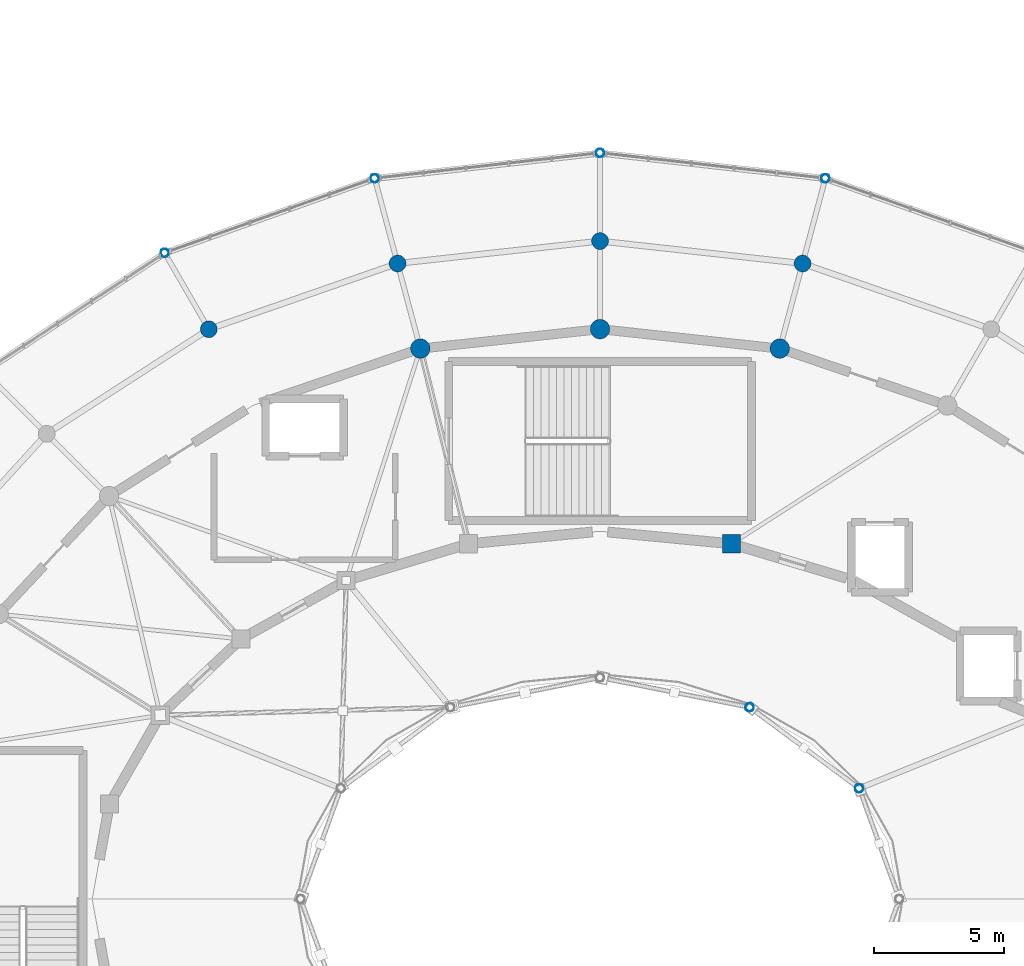
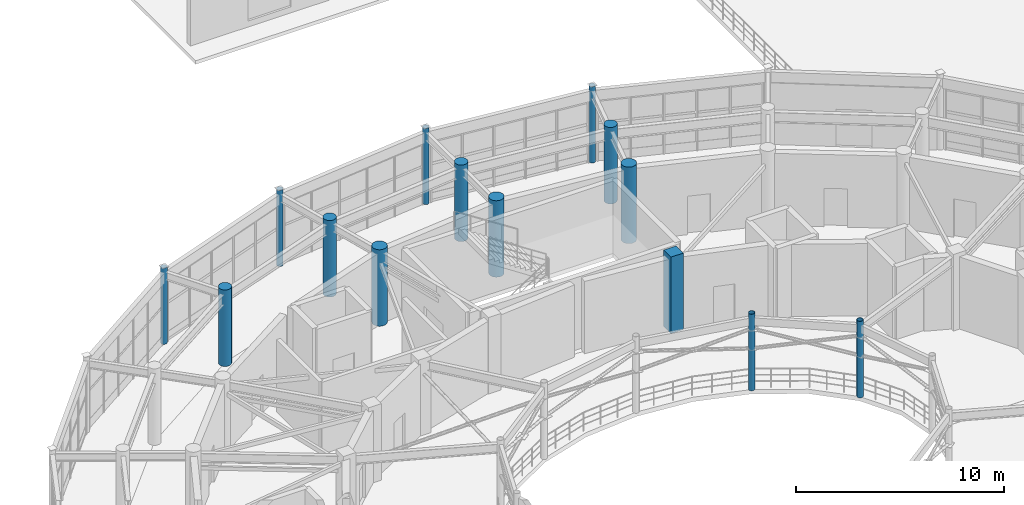
# One storey, part 7 of 60: 14 columns.
"""IFC4 building model written with IfcOpenShell, lengths in metres."""

from ifc_helpers import new_model, si_unit, direction, frame, origin, origin_2d, place, context, subcontext, project, spatial, rectangle, circle, hollow_circle, extrude, material, material_profile, profile_set, type_object, element, save


model = new_model("IFC4")

# Units and contexts
model_context = context("Model", 3, precision=1e-05, world=origin(), true_north=direction((0.0, 1.0)))
body_context = subcontext(model_context, "Body", "Model", "MODEL_VIEW")
ifc_project = project(units=[si_unit("LENGTHUNIT", "METRE"), si_unit("AREAUNIT", "SQUARE_METRE"), si_unit("VOLUMEUNIT", "CUBIC_METRE"), si_unit("PLANEANGLEUNIT", "RADIAN"), si_unit("MASSUNIT", "GRAM", prefix="KILO")], contexts=[model_context])

# Site, building, storey
site_placement = place(None, origin())
site = spatial("IfcSite", under=ifc_project, at=site_placement, CompositionType="ELEMENT")
building_placement = place(site_placement, origin())
building = spatial("IfcBuilding", under=site, at=building_placement, Name="Cinderbank Siding Concert Hall", CompositionType="ELEMENT")
storey_placement = place(building_placement, frame((0.0, 0.0, 14.699951171875)))
storey = spatial("IfcBuildingStorey", under=building, at=storey_placement, Name="L04", CompositionType="ELEMENT", Elevation=14.699951171875)

# Columns
ifc_material_1 = material(Name="Structural steel hollow section AS/NZS 1163 Grade C350L0 (350 MPa)", Category="steel")
ifc_material_profile_1 = material_profile(ifc_material_1, hollow_circle(Radius=0.161865234375, WallThickness=0.0126953125, at=origin_2d()), Name="323.9x12.7CHS", Category="LoadBearing")
ifc_profile_set_1 = profile_set([ifc_material_profile_1], Name="Structural steel hollow section AS/NZS 1163 Grade C350L0 (350 MPa)")
column_type_1 = type_object("IfcColumnType", Name="C-CHS323 323.9x12.7CHS", PredefinedType="COLUMN", material=ifc_profile_set_1)
for number, where, z_axis, x_axis, name in (
    (1, (130.696044921875, 71.819091796875, 0.0), (0.0, 0.0, 1.0), (1.0, 0.0, 0.0), "L04 Column COL-E4-06"),
    (2, (122.0, 72.800048828125, 0.0), (0.0, 0.0, 1.0), (1.0, 0.0, 0.0), "L04 Column COL-E4-07"),
    (3, (113.303955078125, 71.819091796875, 0.0), (0.0, 0.0, 1.0), (1.0, 0.0, 0.0), "L04 Column COL-E4-08"),
    (4, (105.199951171875, 68.94189453125, 0.0), (0.0, 0.0, 1.0), (1.0, 0.0, 0.0), "L04 Column COL-E4-09"),
):
    element("IfcColumn", number, at=place(storey_placement, frame(where, z_axis=z_axis, x_axis=x_axis)), inside=storey, type_object=column_type_1, Name=name, PredefinedType="COLUMN", context=body_context, shape_type="SweptSolid", body=[
        extrude(hollow_circle(Radius=0.161865234375, WallThickness=0.0126953125, at=origin_2d()), origin(), (0.0, 0.0, 1.0), 4.47998046875),
    ])
for number, where, z_axis, x_axis, name in (
    (5, (132.0029296875, 48.27490234375, 0.0), (0.0, 0.0, 1.0), (1.0, 0.0, 0.0), "L04 Column COL-E0-03"),
    (6, (127.77490234375, 51.404052734375, 0.0), (0.0, 0.0, 1.0), (1.0, 0.0, 0.0), "L04 Column COL-E0-05"),
):
    element("IfcColumn", number, at=place(storey_placement, frame(where, z_axis=z_axis, x_axis=x_axis)), inside=storey, type_object=column_type_1, Name=name, PredefinedType="COLUMN", context=body_context, shape_type="SweptSolid", body=[
        extrude(hollow_circle(Radius=0.161865234375, WallThickness=0.0126953125, at=origin_2d()), origin(), (0.0, 0.0, 1.0), 4.5),
    ])
ifc_material_2 = material(Name="Reinforced concrete AS 3600 N50 (50 MPa)", Category="concrete")
ifc_material_profile_2 = material_profile(ifc_material_2, rectangle(XDim=0.699951171875, YDim=0.699951171875, at=origin_2d()), Name="RC-COL-700x700", Category="LoadBearing")
ifc_profile_set_2 = profile_set([ifc_material_profile_2], Name="Reinforced concrete AS 3600 N50 (50 MPa)")
column_type_2 = type_object("IfcColumnType", Name="C-RC700 RC-COL-700x700", PredefinedType="COLUMN", material=ifc_profile_set_2)
column_placement = place(storey_placement, frame((127.072998046875, 57.716064453125, 0.0), z_axis=(0.0, 0.0, 1.0), x_axis=(1.0, 0.0, 0.0)))
element("IfcColumn", 7, at=column_placement, inside=storey, type_object=column_type_2, Name="L04 Column COL-E1-06", PredefinedType="COLUMN", context=body_context, shape_type="SweptSolid", body=[
    extrude(rectangle(XDim=0.699951171875, YDim=0.699951171875, at=origin_2d()), origin(), (0.0, 0.0, 1.0), 4.5),
])
ifc_material_profile_3 = material_profile(ifc_material_2, circle(Radius=0.324951171875, at=origin_2d()), Name="RC-COL-650DIA", Category="LoadBearing")
ifc_profile_set_3 = profile_set([ifc_material_profile_3], Name="Reinforced concrete AS 3600 N50 (50 MPa)")
column_type_3 = type_object("IfcColumnType", Name="C-RCD650 RC-COL-650DIA", PredefinedType="COLUMN", material=ifc_profile_set_3)
for number, where, z_axis, x_axis, name in (
    (8, (129.81591796875, 68.533935546875, 0.0), (0.0, 0.0, 1.0), (1.0, 0.0, 0.0), "L04 Column COL-E3-06"),
    (9, (122.0, 69.39990234375, 0.0), (0.0, 0.0, 1.0), (1.0, 0.0, 0.0), "L04 Column COL-E3-07"),
    (10, (114.18408203125, 68.533935546875, 0.0), (0.0, 0.0, 1.0), (1.0, 0.0, 0.0), "L04 Column COL-E3-08"),
    (11, (106.89990234375, 65.9970703125, 0.0), (0.0, 0.0, 1.0), (1.0, 0.0, 0.0), "L04 Column COL-E3-09"),
):
    element("IfcColumn", number, at=place(storey_placement, frame(where, z_axis=z_axis, x_axis=x_axis)), inside=storey, type_object=column_type_3, Name=name, PredefinedType="COLUMN", context=body_context, shape_type="SweptSolid", body=[
        extrude(circle(Radius=0.324951171875, at=origin_2d()), origin(), (0.0, 0.0, 1.0), 4.5),
    ])
ifc_material_profile_4 = material_profile(ifc_material_2, circle(Radius=0.375, at=origin_2d()), Name="RC-COL-750DIA", Category="LoadBearing")
ifc_profile_set_4 = profile_set([ifc_material_profile_4], Name="Reinforced concrete AS 3600 N50 (50 MPa)")
column_type_4 = type_object("IfcColumnType", Name="C-RCD750 RC-COL-750DIA", PredefinedType="COLUMN", material=ifc_profile_set_4)
for number, where, z_axis, x_axis, name in (
    (12, (128.93603515625, 65.25, 0.0), (0.0, 0.0, 1.0), (1.0, 0.0, 0.0), "L04 Column COL-E2-06"),
    (13, (122.0, 66.0, 0.0), (0.0, 0.0, 1.0), (1.0, 0.0, 0.0), "L04 Column COL-E2-07"),
    (14, (115.06396484375, 65.25, 0.0), (0.0, 0.0, 1.0), (1.0, 0.0, 0.0), "L04 Column COL-E2-08"),
):
    element("IfcColumn", number, at=place(storey_placement, frame(where, z_axis=z_axis, x_axis=x_axis)), inside=storey, type_object=column_type_4, Name=name, PredefinedType="COLUMN", context=body_context, shape_type="SweptSolid", body=[
        extrude(circle(Radius=0.375, at=origin_2d()), origin(), (0.0, 0.0, 1.0), 4.5),
    ])

save(model, "model.ifc")
